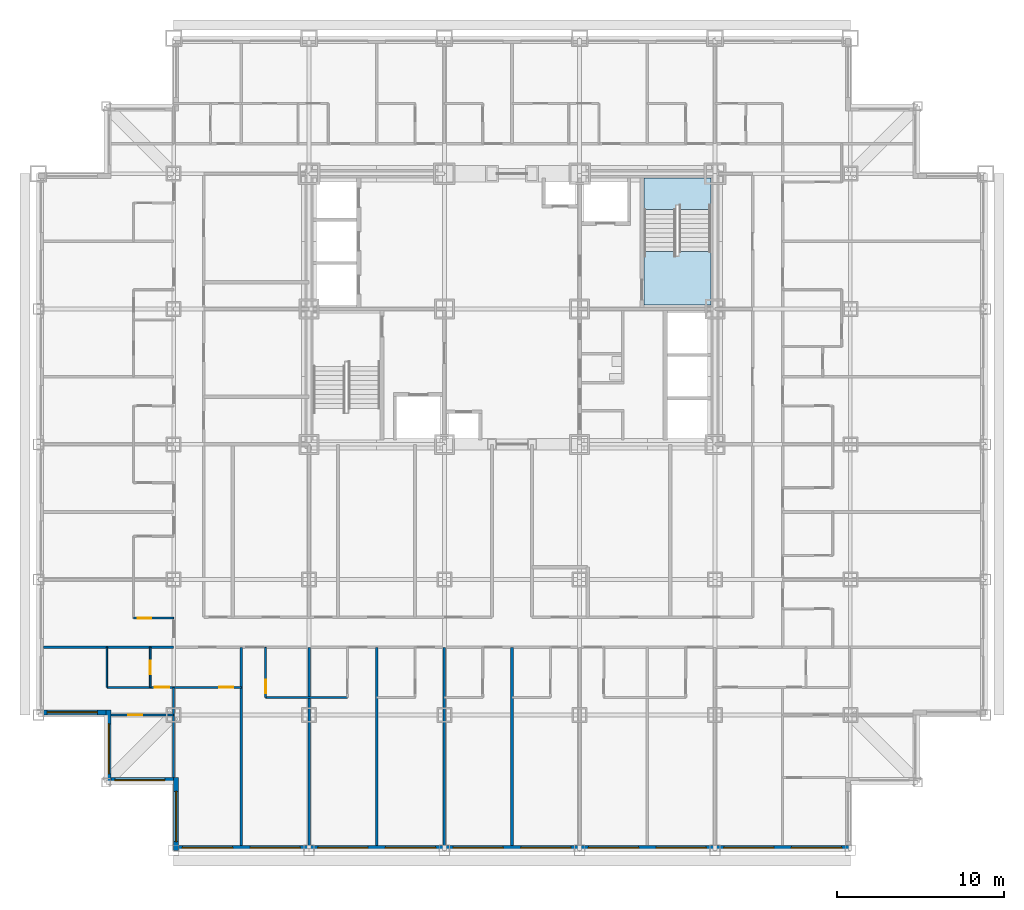
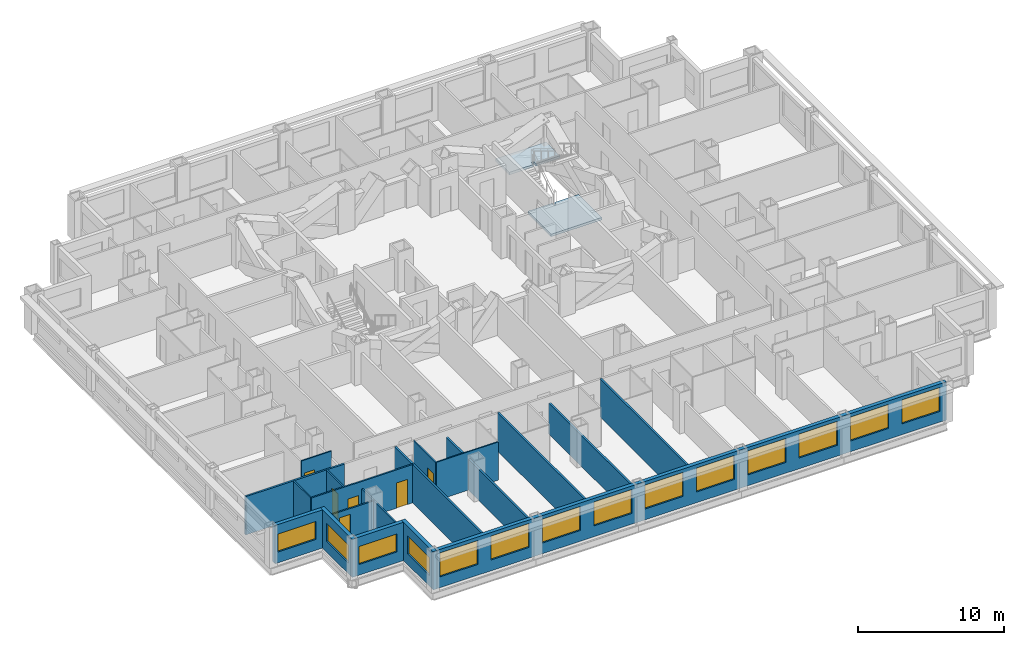
# One storey, part 3 of 13: 19 walls, 14 windows, 6 doors, 2 slabs, 20 openings, 1 element without a shape of its own.
"""IFC4 building model written with IfcOpenShell, lengths in metres."""

from ifc_helpers import new_model, si_unit, direction, frame, frame_2d, origin, place, context, subcontext, project, spatial, polyline, rectangle, outline, extrude, material, layer, layer_set, type_object, element, fill, aggregate, save


model = new_model("IFC4")

# Units and contexts
model_context = context("Model", 3, precision=1e-05, world=origin(), true_north=direction((0.0, 1.0)))
body_context = subcontext(model_context, "Body", "Model", "MODEL_VIEW")
ifc_project = project(units=[si_unit("LENGTHUNIT", "METRE"), si_unit("AREAUNIT", "SQUARE_METRE"), si_unit("VOLUMEUNIT", "CUBIC_METRE"), si_unit("PLANEANGLEUNIT", "RADIAN"), si_unit("MASSUNIT", "GRAM", prefix="KILO")], contexts=[model_context])

# Site, building, storey
site_placement = place(None, origin())
site = spatial("IfcSite", under=ifc_project, at=site_placement, CompositionType="ELEMENT")
building_placement = place(site_placement, origin())
building = spatial("IfcBuilding", under=site, at=building_placement, Name="Kopane Lantern Tower", CompositionType="ELEMENT")
storey_placement = place(building_placement, frame((0.0, 0.0, 67.0)))
storey = spatial("IfcBuildingStorey", under=building, at=storey_placement, Name="L16", CompositionType="ELEMENT", Elevation=67.0)

# Stair, slabs
ifc_material_1 = material(Name="Steel S355JR", Category="steel")
stair_type = type_object("IfcStairType", Name="EXIT STAIR 1900 HALF TURN", PredefinedType="HALF_TURN_STAIR", material=ifc_material_1)
stair_placement = place(storey_placement, origin())
stair = element("IfcStair", 1, at=stair_placement, inside=storey, type_object=stair_type, Name="Exit stair ST2 L16", PredefinedType="HALF_TURN_STAIR")
ifc_material_2 = material(Name="Concrete C40/50", Category="concrete")
ifc_layer_1 = layer(ifc_material_2, 0.199951171875)
ifc_layer_set_1 = layer_set([ifc_layer_1], Name="STAIR LANDING 200")
slab_type = type_object("IfcSlabType", Name="STAIR LANDING 200", PredefinedType="LANDING", material=ifc_layer_set_1)
slab_1_placement = place(storey_placement, frame((0.0, 0.0, -0.199951171875)))
slab_1 = element("IfcSlab", 2, at=slab_1_placement, type_object=slab_type, Name="ST2 landing 1", PredefinedType="LANDING", context=body_context, shape_type="SweptSolid", body=[
    extrude(outline(polyline([(40.25, 35.830078125), (38.35009765625, 35.830078125), (38.35009765625, 35.550048828125), (38.14990234375, 35.550048828125), (38.14990234375, 35.830078125), (36.25, 35.830078125), (36.25, 32.64990234375), (40.25, 32.64990234375), (40.25, 35.830078125)])), origin(), (0.0, 0.0, 1.0), 0.199951171875),
])
slab_2_placement = place(storey_placement, frame((0.0, 0.0, 1.5)))
slab_2 = element("IfcSlab", 3, at=slab_2_placement, type_object=slab_type, Name="ST2 landing 2", PredefinedType="LANDING", context=body_context, shape_type="SweptSolid", body=[
    extrude(outline(polyline([(38.14990234375, 38.6298828125), (38.35009765625, 38.6298828125), (38.35009765625, 38.35009765625), (40.25, 38.35009765625), (40.25, 40.25), (36.25, 40.25), (36.25, 38.35009765625), (38.14990234375, 38.35009765625), (38.14990234375, 38.6298828125)])), origin(), (0.0, 0.0, 1.0), 0.199951171875),
])
aggregate(stair, [slab_1, slab_2])

# Wall, openings, doors
ifc_material_3 = material(Name="Gypsum board on steel studs", Category="steel")
ifc_layer_2 = layer(ifc_material_3, 0.1201171875)
ifc_layer_set_2 = layer_set([ifc_layer_2], Name="APARTMENT INTERNAL WALL 120")
wall_type_1 = type_object("IfcWallType", Name="APARTMENT INTERNAL WALL 120", PredefinedType="PARTITIONING", material=ifc_layer_set_2)
wall_1_placement = place(storey_placement, frame((4.10009765625, 9.75, 0.0), z_axis=(0.0, 0.0, 1.0), x_axis=(1.0, 0.0, 0.0)))
wall_1 = element("IfcWall", 4, at=wall_1_placement, inside=storey, type_object=wall_type_1, Name="Apartment Internal Wall 120 L16", PredefinedType="PARTITIONING", context=body_context, shape_type="SweptSolid", body=[
    extrude(rectangle(XDim=8.0498046875, YDim=0.1201171875, at=frame_2d((4.02490234375, 0.0))), origin(), (0.0, 0.0, 1.0), 3.18994140625),
])
opening_1_placement = place(wall_1_placement, frame((6.72509765625, 0.0, 0.0)))
opening_1 = element("IfcOpeningElement", 5, at=opening_1_placement, cuts=wall_1, Name="Opening L16-068", PredefinedType="OPENING", context=body_context, shape_type="SweptSolid", body=[
    extrude(rectangle(XDim=0.85009765625, YDim=2.10009765625, at=frame_2d((0.425048828125, 1.050048828125))), frame((0.0, 0.070068359375, 0.0), z_axis=(0.0, -1.0, 0.0), x_axis=(1.0, 0.0, 0.0)), (0.0, 0.0, 1.0), 0.14013671875),
])
opening_2_placement = place(wall_1_placement, frame((2.875, 0.0, 0.0)))
opening_2 = element("IfcOpeningElement", 6, at=opening_2_placement, cuts=wall_1, Name="Opening L16-070", PredefinedType="OPENING", context=body_context, shape_type="SweptSolid", body=[
    extrude(rectangle(XDim=0.85009765625, YDim=2.10009765625, at=frame_2d((0.425048828125, 1.050048828125))), frame((0.0, 0.070068359375, 0.0), z_axis=(0.0, -1.0, 0.0), x_axis=(1.0, 0.0, 0.0)), (0.0, 0.0, 1.0), 0.14013671875),
])
ifc_material_4 = material(Name="Timber door set", Category="wood")
door_type_1 = type_object("IfcDoorType", Name="DOOR D4 850x2100", OperationType="SINGLE_SWING_LEFT", PredefinedType="DOOR", material=ifc_material_4)
door_1_placement = place(opening_1_placement, origin())
door_1 = element("IfcDoor", 7, at=door_1_placement, inside=storey, type_object=door_type_1, Name="Door L16-068", OperationType="SINGLE_SWING_RIGHT", OverallHeight=2.10009765625, OverallWidth=0.85009765625, PredefinedType="DOOR", context=body_context, shape_type="SweptSolid", body=[
    extrude(rectangle(XDim=0.85009765625, YDim=2.10009765625, at=frame_2d((0.425048828125, 1.050048828125))), frame((0.0, 0.02490234375, 0.0), z_axis=(0.0, -1.0, 0.0), x_axis=(1.0, 0.0, 0.0)), (0.0, 0.0, 1.0), 0.050048828125),
])
fill(opening_1, door_1)
door_2_placement = place(opening_2_placement, origin())
door_2 = element("IfcDoor", 8, at=door_2_placement, inside=storey, type_object=door_type_1, Name="Door L16-070", OperationType="SINGLE_SWING_LEFT", OverallHeight=2.10009765625, OverallWidth=0.85009765625, PredefinedType="DOOR", context=body_context, shape_type="SweptSolid", body=[
    extrude(rectangle(XDim=0.85009765625, YDim=2.10009765625, at=frame_2d((0.425048828125, 1.050048828125))), frame((0.0, 0.02490234375, 0.0), z_axis=(0.0, -1.0, 0.0), x_axis=(1.0, 0.0, 0.0)), (0.0, 0.0, 1.0), 0.050048828125),
])
fill(opening_2, door_2)

# Wall
wall_2_placement = place(storey_placement, frame((8.10009765625, 9.75, 0.0), z_axis=(0.0, 0.0, 1.0), x_axis=(0.0, -1.0, 0.0)))
element("IfcWall", 9, at=wall_2_placement, inside=storey, type_object=wall_type_1, Name="Apartment Internal Wall 120 L16", PredefinedType="PARTITIONING", context=body_context, shape_type="SweptSolid", body=[
    extrude(rectangle(XDim=5.39990234375, YDim=0.1201171875, at=frame_2d((2.699951171875, 0.0))), origin(), (0.0, 0.0, 1.0), 2.577880859375),
])

# Wall, opening, door
wall_3_placement = place(storey_placement, frame((8.10009765625, 8.10009765625, 0.0), z_axis=(0.0, 0.0, 1.0), x_axis=(-1.0, 0.0, 0.0)))
wall_3 = element("IfcWall", 10, at=wall_3_placement, inside=storey, type_object=wall_type_1, Name="Apartment Internal Wall 120 L16", PredefinedType="PARTITIONING", context=body_context, shape_type="SweptSolid", body=[
    extrude(rectangle(XDim=3.75, YDim=0.1201171875, at=frame_2d((1.875, 0.0))), origin(), (0.0, 0.0, 1.0), 2.577880859375),
])
opening_3_placement = place(wall_3_placement, frame((1.875, 0.0, 0.0)))
opening_3 = element("IfcOpeningElement", 11, at=opening_3_placement, cuts=wall_3, Name="Opening L16-071", PredefinedType="OPENING", context=body_context, shape_type="SweptSolid", body=[
    extrude(rectangle(XDim=0.85009765625, YDim=2.10009765625, at=frame_2d((0.425048828125, 1.050048828125))), frame((0.0, 0.070068359375, 0.0), z_axis=(0.0, -1.0, 0.0), x_axis=(1.0, 0.0, 0.0)), (0.0, 0.0, 1.0), 0.14013671875),
])
door_3_placement = place(opening_3_placement, origin())
door_3 = element("IfcDoor", 12, at=door_3_placement, inside=storey, type_object=door_type_1, Name="Door L16-071", OperationType="SINGLE_SWING_LEFT", OverallHeight=2.10009765625, OverallWidth=0.85009765625, PredefinedType="DOOR", context=body_context, shape_type="SweptSolid", body=[
    extrude(rectangle(XDim=0.85009765625, YDim=2.10009765625, at=frame_2d((0.425048828125, 1.050048828125))), frame((0.0, 0.02490234375, 0.0), z_axis=(0.0, -1.0, 0.0), x_axis=(1.0, 0.0, 0.0)), (0.0, 0.0, 1.0), 0.050048828125),
])
fill(opening_3, door_3)

# Wall
ifc_material_5 = material(Name="Moisture-resistant board on steel studs", Category="steel")
ifc_layer_3 = layer(ifc_material_5, 0.10009765625)
ifc_layer_set_3 = layer_set([ifc_layer_3], Name="BATHROOM WALL 100")
wall_type_2 = type_object("IfcWallType", Name="BATHROOM WALL 100", PredefinedType="PARTITIONING", material=ifc_layer_set_3)
wall_4_placement = place(storey_placement, frame((13.60009765625, 9.14990234375, 0.0), z_axis=(0.0, 0.0, 1.0), x_axis=(1.0, 0.0, 0.0)))
element("IfcWall", 13, at=wall_4_placement, inside=storey, type_object=wall_type_2, Name="Bathroom Wall 100 L16", PredefinedType="PARTITIONING", context=body_context, shape_type="SweptSolid", body=[
    extrude(rectangle(XDim=4.89990234375, YDim=0.10009765625, at=frame_2d((2.449951171875, 0.0))), origin(), (0.0, 0.0, 1.0), 3.18994140625),
])

# Wall, opening, door
wall_5_placement = place(storey_placement, frame((13.60009765625, 12.14990234375, 0.0), z_axis=(0.0, 0.0, 1.0), x_axis=(0.0, -1.0, 0.0)))
wall_5 = element("IfcWall", 14, at=wall_5_placement, inside=storey, type_object=wall_type_2, Name="Bathroom Wall 100 L16", PredefinedType="PARTITIONING", context=body_context, shape_type="SweptSolid", body=[
    extrude(rectangle(XDim=3.0, YDim=0.10009765625, at=frame_2d((1.5, 0.0))), origin(), (0.0, 0.0, 1.0), 3.18994140625),
])
opening_4_placement = place(wall_5_placement, frame((1.949951171875, 0.0, 0.0)))
opening_4 = element("IfcOpeningElement", 15, at=opening_4_placement, cuts=wall_5, Name="Opening L16-015", PredefinedType="OPENING", context=body_context, shape_type="SweptSolid", body=[
    extrude(rectangle(XDim=0.800048828125, YDim=2.10009765625, at=frame_2d((0.39990234375, 1.050048828125))), frame((0.0, 0.06005859375, 0.0), z_axis=(0.0, -1.0, 0.0), x_axis=(1.0, 0.0, 0.0)), (0.0, 0.0, 1.0), 0.1201171875),
])
ifc_material_6 = material(Name="Timber door set", Category="wood")
door_type_2 = type_object("IfcDoorType", Name="DOOR D2 800x2100", OperationType="SINGLE_SWING_LEFT", PredefinedType="DOOR", material=ifc_material_6)
door_4_placement = place(opening_4_placement, origin())
door_4 = element("IfcDoor", 16, at=door_4_placement, inside=storey, type_object=door_type_2, Name="Door L16-015", OperationType="SINGLE_SWING_RIGHT", OverallHeight=2.10009765625, OverallWidth=0.800048828125, PredefinedType="DOOR", context=body_context, shape_type="SweptSolid", body=[
    extrude(rectangle(XDim=0.800048828125, YDim=2.10009765625, at=frame_2d((0.39990234375, 1.050048828125))), frame((0.0, 0.02490234375, 0.0), z_axis=(0.0, -1.0, 0.0), x_axis=(1.0, 0.0, 0.0)), (0.0, 0.0, 1.0), 0.050048828125),
])
fill(opening_4, door_4)

wall_6_placement = place(storey_placement, frame((8.10009765625, 13.89990234375, 0.0), z_axis=(0.0, 0.0, 1.0), x_axis=(-1.0, 0.0, 0.0)))
wall_6 = element("IfcWall", 17, at=wall_6_placement, inside=storey, type_object=wall_type_2, Name="Bathroom Wall 100 L16", PredefinedType="PARTITIONING", context=body_context, shape_type="SweptSolid", body=[
    extrude(rectangle(XDim=2.400146484375, YDim=0.10009765625, at=frame_2d((1.2001953125, 0.0))), origin(), (0.0, 0.0, 1.0), 3.18994140625),
])
opening_5_placement = place(wall_6_placement, frame((1.35009765625, 0.0, 0.0)))
opening_5 = element("IfcOpeningElement", 18, at=opening_5_placement, cuts=wall_6, Name="Opening L16-041", PredefinedType="OPENING", context=body_context, shape_type="SweptSolid", body=[
    extrude(rectangle(XDim=0.800048828125, YDim=2.10009765625, at=frame_2d((0.39990234375, 1.050048828125))), frame((0.0, 0.06005859375, 0.0), z_axis=(0.0, -1.0, 0.0), x_axis=(1.0, 0.0, 0.0)), (0.0, 0.0, 1.0), 0.1201171875),
])
door_5_placement = place(opening_5_placement, origin())
door_5 = element("IfcDoor", 19, at=door_5_placement, inside=storey, type_object=door_type_2, Name="Door L16-041", OperationType="SINGLE_SWING_LEFT", OverallHeight=2.10009765625, OverallWidth=0.800048828125, PredefinedType="DOOR", context=body_context, shape_type="SweptSolid", body=[
    extrude(rectangle(XDim=0.800048828125, YDim=2.10009765625, at=frame_2d((0.39990234375, 1.050048828125))), frame((0.0, 0.02490234375, 0.0), z_axis=(0.0, -1.0, 0.0), x_axis=(1.0, 0.0, 0.0)), (0.0, 0.0, 1.0), 0.050048828125),
])
fill(opening_5, door_5)

wall_7_placement = place(storey_placement, frame((6.699951171875, 12.14990234375, 0.0), z_axis=(0.0, 0.0, 1.0), x_axis=(0.0, -1.0, 0.0)))
wall_7 = element("IfcWall", 20, at=wall_7_placement, inside=storey, type_object=wall_type_2, Name="Bathroom Wall 100 L16", PredefinedType="PARTITIONING", context=body_context, shape_type="SweptSolid", body=[
    extrude(rectangle(XDim=2.39990234375, YDim=0.10009765625, at=frame_2d((1.199951171875, 0.0))), origin(), (0.0, 0.0, 1.0), 3.18994140625),
])
opening_6_placement = place(wall_7_placement, frame((0.800048828125, 0.0, 0.0)))
opening_6 = element("IfcOpeningElement", 21, at=opening_6_placement, cuts=wall_7, Name="Opening L16-069", PredefinedType="OPENING", context=body_context, shape_type="SweptSolid", body=[
    extrude(rectangle(XDim=0.800048828125, YDim=2.10009765625, at=frame_2d((0.39990234375, 1.050048828125))), frame((0.0, 0.06005859375, 0.0), z_axis=(0.0, -1.0, 0.0), x_axis=(1.0, 0.0, 0.0)), (0.0, 0.0, 1.0), 0.1201171875),
])
door_6_placement = place(opening_6_placement, origin())
door_6 = element("IfcDoor", 22, at=door_6_placement, inside=storey, type_object=door_type_2, Name="Door L16-069", OperationType="SINGLE_SWING_RIGHT", OverallHeight=2.10009765625, OverallWidth=0.800048828125, PredefinedType="DOOR", context=body_context, shape_type="SweptSolid", body=[
    extrude(rectangle(XDim=0.800048828125, YDim=2.10009765625, at=frame_2d((0.39990234375, 1.050048828125))), frame((0.0, 0.02490234375, 0.0), z_axis=(0.0, -1.0, 0.0), x_axis=(1.0, 0.0, 0.0)), (0.0, 0.0, 1.0), 0.050048828125),
])
fill(opening_6, door_6)

# Walls
wall_8_placement = place(storey_placement, frame((4.10009765625, 12.14990234375, 0.0), z_axis=(0.0, 0.0, 1.0), x_axis=(0.0, -1.0, 0.0)))
element("IfcWall", 23, at=wall_8_placement, inside=storey, type_object=wall_type_2, Name="Bathroom Wall 100 L16", PredefinedType="PARTITIONING", context=body_context, shape_type="SweptSolid", body=[
    extrude(rectangle(XDim=2.39990234375, YDim=0.10009765625, at=frame_2d((1.199951171875, 0.0))), origin(), (0.0, 0.0, 1.0), 3.18994140625),
])
ifc_material_7 = material(Name="Gypsum board on steel studs", Category="steel")
ifc_layer_4 = layer(ifc_material_7, 0.14990234375)
ifc_layer_set_4 = layer_set([ifc_layer_4], Name="DEMISING WALL 150 EI 60")
wall_type_3 = type_object("IfcWallType", Name="DEMISING WALL 150 EI 60", PredefinedType="PARTITIONING", material=ifc_layer_set_4)
wall_9_placement = place(storey_placement, frame((16.199951171875, 12.14990234375, 0.0), z_axis=(0.0, 0.0, 1.0), x_axis=(0.0, -1.0, 0.0)))
element("IfcWall", 24, at=wall_9_placement, inside=storey, type_object=wall_type_3, Name="Demising Wall 150 Ei 60 L16", PredefinedType="PARTITIONING", context=body_context, shape_type="SweptSolid", body=[
    extrude(rectangle(XDim=11.849853515625, YDim=0.14990234375, at=frame_2d((5.9248046875, 0.0))), origin(), (0.0, 0.0, 1.0), 2.577880859375),
])
wall_10_placement = place(storey_placement, frame((20.25, 12.14990234375, 0.0), z_axis=(0.0, 0.0, 1.0), x_axis=(0.0, -1.0, 0.0)))
element("IfcWall", 25, at=wall_10_placement, inside=storey, type_object=wall_type_3, Name="Demising Wall 150 Ei 60 L16", PredefinedType="PARTITIONING", context=body_context, shape_type="SweptSolid", body=[
    extrude(rectangle(XDim=11.849853515625, YDim=0.14990234375, at=frame_2d((5.9248046875, 0.0))), origin(), (0.0, 0.0, 1.0), 3.18994140625),
])
wall_11_placement = place(storey_placement, frame((24.300048828125, 12.14990234375, 0.0), z_axis=(0.0, 0.0, 1.0), x_axis=(0.0, -1.0, 0.0)))
element("IfcWall", 26, at=wall_11_placement, inside=storey, type_object=wall_type_3, Name="Demising Wall 150 Ei 60 L16", PredefinedType="PARTITIONING", context=body_context, shape_type="SweptSolid", body=[
    extrude(rectangle(XDim=11.849853515625, YDim=0.14990234375, at=frame_2d((5.9248046875, 0.0))), origin(), (0.0, 0.0, 1.0), 2.577880859375),
])
wall_12_placement = place(storey_placement, frame((28.35009765625, 12.14990234375, 0.0), z_axis=(0.0, 0.0, 1.0), x_axis=(0.0, -1.0, 0.0)))
element("IfcWall", 27, at=wall_12_placement, inside=storey, type_object=wall_type_3, Name="Demising Wall 150 Ei 60 L16", PredefinedType="PARTITIONING", context=body_context, shape_type="SweptSolid", body=[
    extrude(rectangle(XDim=11.849853515625, YDim=0.14990234375, at=frame_2d((5.9248046875, 0.0))), origin(), (0.0, 0.0, 1.0), 3.18994140625),
])
wall_13_placement = place(storey_placement, frame((0.300048828125, 12.14990234375, 0.0), z_axis=(0.0, 0.0, 1.0), x_axis=(1.0, 0.0, 0.0)))
element("IfcWall", 28, at=wall_13_placement, inside=storey, type_object=wall_type_3, Name="Demising Wall 150 Ei 60 L16", PredefinedType="PARTITIONING", context=body_context, shape_type="SweptSolid", body=[
    extrude(rectangle(XDim=7.800048828125, YDim=0.14990234375, at=frame_2d((3.89990234375, 0.0))), origin(), (0.0, 0.0, 1.0), 3.18994140625),
])
wall_14_placement = place(storey_placement, frame((12.14990234375, 12.14990234375, 0.0), z_axis=(0.0, 0.0, 1.0), x_axis=(0.0, -1.0, 0.0)))
element("IfcWall", 29, at=wall_14_placement, inside=storey, type_object=wall_type_3, Name="Demising Wall 150 Ei 60 L16", PredefinedType="PARTITIONING", context=body_context, shape_type="SweptSolid", body=[
    extrude(rectangle(XDim=11.849853515625, YDim=0.14990234375, at=frame_2d((5.9248046875, 0.0))), origin(), (0.0, 0.0, 1.0), 3.18994140625),
])

# Wall, openings, windows
ifc_material_8 = material(Name="Terracotta rainscreen on light steel framing", Category="masonry")
ifc_layer_5 = layer(ifc_material_8, 0.300048828125)
ifc_layer_set_5 = layer_set([ifc_layer_5], Name="EXTERNAL WALL EW1 300 TERRACOTTA")
wall_type_4 = type_object("IfcWallType", Name="EXTERNAL WALL EW1 300 TERRACOTTA", PredefinedType="SOLIDWALL", material=ifc_layer_set_5)
wall_15_placement = place(storey_placement, frame((8.39990234375, 0.14990234375, 0.0), z_axis=(0.0, 0.0, 1.0), x_axis=(1.0, 0.0, 0.0)))
wall_15 = element("IfcWall", 30, at=wall_15_placement, inside=storey, type_object=wall_type_4, Name="External wall S L16", PredefinedType="SOLIDWALL", context=body_context, shape_type="SweptSolid", body=[
    extrude(rectangle(XDim=40.2001953125, YDim=0.300048828125, at=frame_2d((20.10009765625, 0.0))), origin(), (0.0, 0.0, 1.0), 3.18994140625),
])
opening_7_placement = place(wall_15_placement, frame((0.22509765625, 0.0, 0.89990234375)))
opening_7 = element("IfcOpeningElement", 31, at=opening_7_placement, cuts=wall_15, Name="Opening WR300200", PredefinedType="OPENING", context=body_context, shape_type="SweptSolid", body=[
    extrude(rectangle(XDim=3.0, YDim=2.0, at=frame_2d((1.5, 1.0))), frame((0.0, 0.159912109375, 0.0), z_axis=(0.0, -1.0, 0.0), x_axis=(1.0, 0.0, 0.0)), (0.0, 0.0, 1.0), 0.320068359375),
])
opening_8_placement = place(wall_15_placement, frame((4.27490234375, 0.0, 0.89990234375)))
opening_8 = element("IfcOpeningElement", 32, at=opening_8_placement, cuts=wall_15, Name="Opening WR300200", PredefinedType="OPENING", context=body_context, shape_type="SweptSolid", body=[
    extrude(rectangle(XDim=3.0, YDim=2.0, at=frame_2d((1.5, 1.0))), frame((0.0, 0.159912109375, 0.0), z_axis=(0.0, -1.0, 0.0), x_axis=(1.0, 0.0, 0.0)), (0.0, 0.0, 1.0), 0.320068359375),
])
opening_9_placement = place(wall_15_placement, frame((8.324951171875, 0.0, 0.89990234375)))
opening_9 = element("IfcOpeningElement", 33, at=opening_9_placement, cuts=wall_15, Name="Opening WR300200", PredefinedType="OPENING", context=body_context, shape_type="SweptSolid", body=[
    extrude(rectangle(XDim=3.0, YDim=2.0, at=frame_2d((1.5, 1.0))), frame((0.0, 0.159912109375, 0.0), z_axis=(0.0, -1.0, 0.0), x_axis=(1.0, 0.0, 0.0)), (0.0, 0.0, 1.0), 0.320068359375),
])
opening_10_placement = place(wall_15_placement, frame((12.375, 0.0, 0.89990234375)))
opening_10 = element("IfcOpeningElement", 34, at=opening_10_placement, cuts=wall_15, Name="Opening WR300200", PredefinedType="OPENING", context=body_context, shape_type="SweptSolid", body=[
    extrude(rectangle(XDim=3.0, YDim=2.0, at=frame_2d((1.5, 1.0))), frame((0.0, 0.159912109375, 0.0), z_axis=(0.0, -1.0, 0.0), x_axis=(1.0, 0.0, 0.0)), (0.0, 0.0, 1.0), 0.320068359375),
])
opening_11_placement = place(wall_15_placement, frame((16.425048828125, 0.0, 0.89990234375)))
opening_11 = element("IfcOpeningElement", 35, at=opening_11_placement, cuts=wall_15, Name="Opening WR300200", PredefinedType="OPENING", context=body_context, shape_type="SweptSolid", body=[
    extrude(rectangle(XDim=3.0, YDim=2.0, at=frame_2d((1.5, 1.0))), frame((0.0, 0.159912109375, 0.0), z_axis=(0.0, -1.0, 0.0), x_axis=(1.0, 0.0, 0.0)), (0.0, 0.0, 1.0), 0.320068359375),
])
opening_12_placement = place(wall_15_placement, frame((20.47509765625, 0.0, 0.89990234375)))
opening_12 = element("IfcOpeningElement", 36, at=opening_12_placement, cuts=wall_15, Name="Opening WR300200", PredefinedType="OPENING", context=body_context, shape_type="SweptSolid", body=[
    extrude(rectangle(XDim=3.0, YDim=2.0, at=frame_2d((1.5, 1.0))), frame((0.0, 0.159912109375, 0.0), z_axis=(0.0, -1.0, 0.0), x_axis=(1.0, 0.0, 0.0)), (0.0, 0.0, 1.0), 0.320068359375),
])
opening_13_placement = place(wall_15_placement, frame((24.52490234375, 0.0, 0.89990234375)))
opening_13 = element("IfcOpeningElement", 37, at=opening_13_placement, cuts=wall_15, Name="Opening WR300200", PredefinedType="OPENING", context=body_context, shape_type="SweptSolid", body=[
    extrude(rectangle(XDim=3.0, YDim=2.0, at=frame_2d((1.5, 1.0))), frame((0.0, 0.159912109375, 0.0), z_axis=(0.0, -1.0, 0.0), x_axis=(1.0, 0.0, 0.0)), (0.0, 0.0, 1.0), 0.320068359375),
])
opening_14_placement = place(wall_15_placement, frame((28.574951171875, 0.0, 0.89990234375)))
opening_14 = element("IfcOpeningElement", 38, at=opening_14_placement, cuts=wall_15, Name="Opening WR300200", PredefinedType="OPENING", context=body_context, shape_type="SweptSolid", body=[
    extrude(rectangle(XDim=3.0, YDim=2.0, at=frame_2d((1.5, 1.0))), frame((0.0, 0.159912109375, 0.0), z_axis=(0.0, -1.0, 0.0), x_axis=(1.0, 0.0, 0.0)), (0.0, 0.0, 1.0), 0.320068359375),
])
opening_15_placement = place(wall_15_placement, frame((32.625, 0.0, 0.89990234375)))
opening_15 = element("IfcOpeningElement", 39, at=opening_15_placement, cuts=wall_15, Name="Opening WR300200", PredefinedType="OPENING", context=body_context, shape_type="SweptSolid", body=[
    extrude(rectangle(XDim=3.0, YDim=2.0, at=frame_2d((1.5, 1.0))), frame((0.0, 0.159912109375, 0.0), z_axis=(0.0, -1.0, 0.0), x_axis=(1.0, 0.0, 0.0)), (0.0, 0.0, 1.0), 0.320068359375),
])
opening_16_placement = place(wall_15_placement, frame((36.675048828125, 0.0, 0.89990234375)))
opening_16 = element("IfcOpeningElement", 40, at=opening_16_placement, cuts=wall_15, Name="Opening WR300200", PredefinedType="OPENING", context=body_context, shape_type="SweptSolid", body=[
    extrude(rectangle(XDim=3.0, YDim=2.0, at=frame_2d((1.5, 1.0))), frame((0.0, 0.159912109375, 0.0), z_axis=(0.0, -1.0, 0.0), x_axis=(1.0, 0.0, 0.0)), (0.0, 0.0, 1.0), 0.320068359375),
])
ifc_material_9 = material(Name="Aluminium and clear glass", Category="aluminium")
window_type_1 = type_object("IfcWindowType", Name="RIBBON WINDOW WR300200 3000x2000", PartitioningType="SINGLE_PANEL", PredefinedType="WINDOW", material=ifc_material_9)
window_1_placement = place(opening_7_placement, origin())
window_1 = element("IfcWindow", 41, at=window_1_placement, inside=storey, type_object=window_type_1, Name="Window S L16", OverallHeight=2.0, OverallWidth=3.0, PartitioningType="SINGLE_PANEL", PredefinedType="WINDOW", context=body_context, shape_type="SweptSolid", body=[
    extrude(rectangle(XDim=3.0, YDim=2.0, at=frame_2d((1.5, 1.0))), frame((0.0, 0.030029296875, 0.0), z_axis=(0.0, -1.0, 0.0), x_axis=(1.0, 0.0, 0.0)), (0.0, 0.0, 1.0), 0.06005859375),
])
fill(opening_7, window_1)
window_2_placement = place(opening_8_placement, origin())
window_2 = element("IfcWindow", 42, at=window_2_placement, inside=storey, type_object=window_type_1, Name="Window S L16", OverallHeight=2.0, OverallWidth=3.0, PartitioningType="SINGLE_PANEL", PredefinedType="WINDOW", context=body_context, shape_type="SweptSolid", body=[
    extrude(rectangle(XDim=3.0, YDim=2.0, at=frame_2d((1.5, 1.0))), frame((0.0, 0.030029296875, 0.0), z_axis=(0.0, -1.0, 0.0), x_axis=(1.0, 0.0, 0.0)), (0.0, 0.0, 1.0), 0.06005859375),
])
fill(opening_8, window_2)
window_3_placement = place(opening_9_placement, origin())
window_3 = element("IfcWindow", 43, at=window_3_placement, inside=storey, type_object=window_type_1, Name="Window S L16", OverallHeight=2.0, OverallWidth=3.0, PartitioningType="SINGLE_PANEL", PredefinedType="WINDOW", context=body_context, shape_type="SweptSolid", body=[
    extrude(rectangle(XDim=3.0, YDim=2.0, at=frame_2d((1.5, 1.0))), frame((0.0, 0.030029296875, 0.0), z_axis=(0.0, -1.0, 0.0), x_axis=(1.0, 0.0, 0.0)), (0.0, 0.0, 1.0), 0.06005859375),
])
fill(opening_9, window_3)
window_4_placement = place(opening_10_placement, origin())
window_4 = element("IfcWindow", 44, at=window_4_placement, inside=storey, type_object=window_type_1, Name="Window S L16", OverallHeight=2.0, OverallWidth=3.0, PartitioningType="SINGLE_PANEL", PredefinedType="WINDOW", context=body_context, shape_type="SweptSolid", body=[
    extrude(rectangle(XDim=3.0, YDim=2.0, at=frame_2d((1.5, 1.0))), frame((0.0, 0.030029296875, 0.0), z_axis=(0.0, -1.0, 0.0), x_axis=(1.0, 0.0, 0.0)), (0.0, 0.0, 1.0), 0.06005859375),
])
fill(opening_10, window_4)
window_5_placement = place(opening_11_placement, origin())
window_5 = element("IfcWindow", 45, at=window_5_placement, inside=storey, type_object=window_type_1, Name="Window S L16", OverallHeight=2.0, OverallWidth=3.0, PartitioningType="SINGLE_PANEL", PredefinedType="WINDOW", context=body_context, shape_type="SweptSolid", body=[
    extrude(rectangle(XDim=3.0, YDim=2.0, at=frame_2d((1.5, 1.0))), frame((0.0, 0.030029296875, 0.0), z_axis=(0.0, -1.0, 0.0), x_axis=(1.0, 0.0, 0.0)), (0.0, 0.0, 1.0), 0.06005859375),
])
fill(opening_11, window_5)
window_6_placement = place(opening_12_placement, origin())
window_6 = element("IfcWindow", 46, at=window_6_placement, inside=storey, type_object=window_type_1, Name="Window S L16", OverallHeight=2.0, OverallWidth=3.0, PartitioningType="SINGLE_PANEL", PredefinedType="WINDOW", context=body_context, shape_type="SweptSolid", body=[
    extrude(rectangle(XDim=3.0, YDim=2.0, at=frame_2d((1.5, 1.0))), frame((0.0, 0.030029296875, 0.0), z_axis=(0.0, -1.0, 0.0), x_axis=(1.0, 0.0, 0.0)), (0.0, 0.0, 1.0), 0.06005859375),
])
fill(opening_12, window_6)
window_7_placement = place(opening_13_placement, origin())
window_7 = element("IfcWindow", 47, at=window_7_placement, inside=storey, type_object=window_type_1, Name="Window S L16", OverallHeight=2.0, OverallWidth=3.0, PartitioningType="SINGLE_PANEL", PredefinedType="WINDOW", context=body_context, shape_type="SweptSolid", body=[
    extrude(rectangle(XDim=3.0, YDim=2.0, at=frame_2d((1.5, 1.0))), frame((0.0, 0.030029296875, 0.0), z_axis=(0.0, -1.0, 0.0), x_axis=(1.0, 0.0, 0.0)), (0.0, 0.0, 1.0), 0.06005859375),
])
fill(opening_13, window_7)
window_8_placement = place(opening_14_placement, origin())
window_8 = element("IfcWindow", 48, at=window_8_placement, inside=storey, type_object=window_type_1, Name="Window S L16", OverallHeight=2.0, OverallWidth=3.0, PartitioningType="SINGLE_PANEL", PredefinedType="WINDOW", context=body_context, shape_type="SweptSolid", body=[
    extrude(rectangle(XDim=3.0, YDim=2.0, at=frame_2d((1.5, 1.0))), frame((0.0, 0.030029296875, 0.0), z_axis=(0.0, -1.0, 0.0), x_axis=(1.0, 0.0, 0.0)), (0.0, 0.0, 1.0), 0.06005859375),
])
fill(opening_14, window_8)
window_9_placement = place(opening_15_placement, origin())
window_9 = element("IfcWindow", 49, at=window_9_placement, inside=storey, type_object=window_type_1, Name="Window S L16", OverallHeight=2.0, OverallWidth=3.0, PartitioningType="SINGLE_PANEL", PredefinedType="WINDOW", context=body_context, shape_type="SweptSolid", body=[
    extrude(rectangle(XDim=3.0, YDim=2.0, at=frame_2d((1.5, 1.0))), frame((0.0, 0.030029296875, 0.0), z_axis=(0.0, -1.0, 0.0), x_axis=(1.0, 0.0, 0.0)), (0.0, 0.0, 1.0), 0.06005859375),
])
fill(opening_15, window_9)
window_10_placement = place(opening_16_placement, origin())
window_10 = element("IfcWindow", 50, at=window_10_placement, inside=storey, type_object=window_type_1, Name="Window S L16", OverallHeight=2.0, OverallWidth=3.0, PartitioningType="SINGLE_PANEL", PredefinedType="WINDOW", context=body_context, shape_type="SweptSolid", body=[
    extrude(rectangle(XDim=3.0, YDim=2.0, at=frame_2d((1.5, 1.0))), frame((0.0, 0.030029296875, 0.0), z_axis=(0.0, -1.0, 0.0), x_axis=(1.0, 0.0, 0.0)), (0.0, 0.0, 1.0), 0.06005859375),
])
fill(opening_16, window_10)

# Wall, opening, window
wall_16_placement = place(storey_placement, frame((0.300048828125, 8.25, 0.0), z_axis=(0.0, 0.0, 1.0), x_axis=(1.0, 0.0, 0.0)))
wall_16 = element("IfcWall", 51, at=wall_16_placement, inside=storey, type_object=wall_type_4, Name="External wall S L16", PredefinedType="SOLIDWALL", context=body_context, shape_type="SweptSolid", body=[
    extrude(rectangle(XDim=3.75, YDim=0.300048828125, at=frame_2d((1.875, 0.0))), origin(), (0.0, 0.0, 1.0), 3.18994140625),
])
opening_17_placement = place(wall_16_placement, frame((0.22509765625, 0.0, 0.89990234375)))
opening_17 = element("IfcOpeningElement", 52, at=opening_17_placement, cuts=wall_16, Name="Opening WR300150", PredefinedType="OPENING", context=body_context, shape_type="SweptSolid", body=[
    extrude(rectangle(XDim=3.0, YDim=1.5, at=frame_2d((1.5, 0.75))), frame((0.0, 0.159912109375, 0.0), z_axis=(0.0, -1.0, 0.0), x_axis=(1.0, 0.0, 0.0)), (0.0, 0.0, 1.0), 0.320068359375),
])
ifc_material_10 = material(Name="Aluminium and clear glass", Category="aluminium")
window_type_2 = type_object("IfcWindowType", Name="RIBBON WINDOW WR300150 3000x1500", PartitioningType="SINGLE_PANEL", PredefinedType="WINDOW", material=ifc_material_10)
window_11_placement = place(opening_17_placement, origin())
window_11 = element("IfcWindow", 53, at=window_11_placement, inside=storey, type_object=window_type_2, Name="Window S L16", OverallHeight=1.5, OverallWidth=3.0, PartitioningType="SINGLE_PANEL", PredefinedType="WINDOW", context=body_context, shape_type="SweptSolid", body=[
    extrude(rectangle(XDim=3.0, YDim=1.5, at=frame_2d((1.5, 0.75))), frame((0.0, 0.030029296875, 0.0), z_axis=(0.0, -1.0, 0.0), x_axis=(1.0, 0.0, 0.0)), (0.0, 0.0, 1.0), 0.06005859375),
])
fill(opening_17, window_11)

wall_17_placement = place(storey_placement, frame((4.199951171875, 8.39990234375, 0.0), z_axis=(0.0, 0.0, 1.0), x_axis=(0.0, -1.0, 0.0)))
wall_17 = element("IfcWall", 54, at=wall_17_placement, inside=storey, type_object=wall_type_4, Name="External wall W L16", PredefinedType="SOLIDWALL", context=body_context, shape_type="SweptSolid", body=[
    extrude(rectangle(XDim=4.349853515625, YDim=0.300048828125, at=frame_2d((2.1748046875, 0.0))), origin(), (0.0, 0.0, 1.0), 3.18994140625),
])
opening_18_placement = place(wall_17_placement, frame((0.824951171875, 0.0, 0.89990234375)))
opening_18 = element("IfcOpeningElement", 55, at=opening_18_placement, cuts=wall_17, Name="Opening WR300150", PredefinedType="OPENING", context=body_context, shape_type="SweptSolid", body=[
    extrude(rectangle(XDim=3.0, YDim=1.5, at=frame_2d((1.5, 0.75))), frame((0.0, 0.159912109375, 0.0), z_axis=(0.0, -1.0, 0.0), x_axis=(1.0, 0.0, 0.0)), (0.0, 0.0, 1.0), 0.320068359375),
])
window_12_placement = place(opening_18_placement, origin())
window_12 = element("IfcWindow", 56, at=window_12_placement, inside=storey, type_object=window_type_2, Name="Window W L16", OverallHeight=1.5, OverallWidth=3.0, PartitioningType="SINGLE_PANEL", PredefinedType="WINDOW", context=body_context, shape_type="SweptSolid", body=[
    extrude(rectangle(XDim=3.0, YDim=1.5, at=frame_2d((1.5, 0.75))), frame((0.0, 0.030029296875, 0.0), z_axis=(0.0, -1.0, 0.0), x_axis=(1.0, 0.0, 0.0)), (0.0, 0.0, 1.0), 0.06005859375),
])
fill(opening_18, window_12)

wall_18_placement = place(storey_placement, frame((4.35009765625, 4.199951171875, 0.0), z_axis=(0.0, 0.0, 1.0), x_axis=(1.0, 0.0, 0.0)))
wall_18 = element("IfcWall", 57, at=wall_18_placement, inside=storey, type_object=wall_type_4, Name="External wall S L16", PredefinedType="SOLIDWALL", context=body_context, shape_type="SweptSolid", body=[
    extrude(rectangle(XDim=3.75, YDim=0.300048828125, at=frame_2d((1.875, 0.0))), origin(), (0.0, 0.0, 1.0), 3.18994140625),
])
opening_19_placement = place(wall_18_placement, frame((0.22509765625, 0.0, 0.89990234375)))
opening_19 = element("IfcOpeningElement", 58, at=opening_19_placement, cuts=wall_18, Name="Opening WR300150", PredefinedType="OPENING", context=body_context, shape_type="SweptSolid", body=[
    extrude(rectangle(XDim=3.0, YDim=1.5, at=frame_2d((1.5, 0.75))), frame((0.0, 0.159912109375, 0.0), z_axis=(0.0, -1.0, 0.0), x_axis=(1.0, 0.0, 0.0)), (0.0, 0.0, 1.0), 0.320068359375),
])
window_13_placement = place(opening_19_placement, origin())
window_13 = element("IfcWindow", 59, at=window_13_placement, inside=storey, type_object=window_type_2, Name="Window S L16", OverallHeight=1.5, OverallWidth=3.0, PartitioningType="SINGLE_PANEL", PredefinedType="WINDOW", context=body_context, shape_type="SweptSolid", body=[
    extrude(rectangle(XDim=3.0, YDim=1.5, at=frame_2d((1.5, 0.75))), frame((0.0, 0.030029296875, 0.0), z_axis=(0.0, -1.0, 0.0), x_axis=(1.0, 0.0, 0.0)), (0.0, 0.0, 1.0), 0.06005859375),
])
fill(opening_19, window_13)

wall_19_placement = place(storey_placement, frame((8.25, 4.35009765625, 0.0), z_axis=(0.0, 0.0, 1.0), x_axis=(0.0, -1.0, 0.0)))
wall_19 = element("IfcWall", 60, at=wall_19_placement, inside=storey, type_object=wall_type_4, Name="External wall W L16", PredefinedType="SOLIDWALL", context=body_context, shape_type="SweptSolid", body=[
    extrude(rectangle(XDim=4.35009765625, YDim=0.300048828125, at=frame_2d((2.175048828125, 0.0))), origin(), (0.0, 0.0, 1.0), 3.18994140625),
])
opening_20_placement = place(wall_19_placement, frame((0.824951171875, 0.0, 0.89990234375)))
opening_20 = element("IfcOpeningElement", 61, at=opening_20_placement, cuts=wall_19, Name="Opening WR300150", PredefinedType="OPENING", context=body_context, shape_type="SweptSolid", body=[
    extrude(rectangle(XDim=3.0, YDim=1.5, at=frame_2d((1.5, 0.75))), frame((0.0, 0.159912109375, 0.0), z_axis=(0.0, -1.0, 0.0), x_axis=(1.0, 0.0, 0.0)), (0.0, 0.0, 1.0), 0.320068359375),
])
window_14_placement = place(opening_20_placement, origin())
window_14 = element("IfcWindow", 62, at=window_14_placement, inside=storey, type_object=window_type_2, Name="Window W L16", OverallHeight=1.5, OverallWidth=3.0, PartitioningType="SINGLE_PANEL", PredefinedType="WINDOW", context=body_context, shape_type="SweptSolid", body=[
    extrude(rectangle(XDim=3.0, YDim=1.5, at=frame_2d((1.5, 0.75))), frame((0.0, 0.030029296875, 0.0), z_axis=(0.0, -1.0, 0.0), x_axis=(1.0, 0.0, 0.0)), (0.0, 0.0, 1.0), 0.06005859375),
])
fill(opening_20, window_14)

save(model, "model.ifc")
